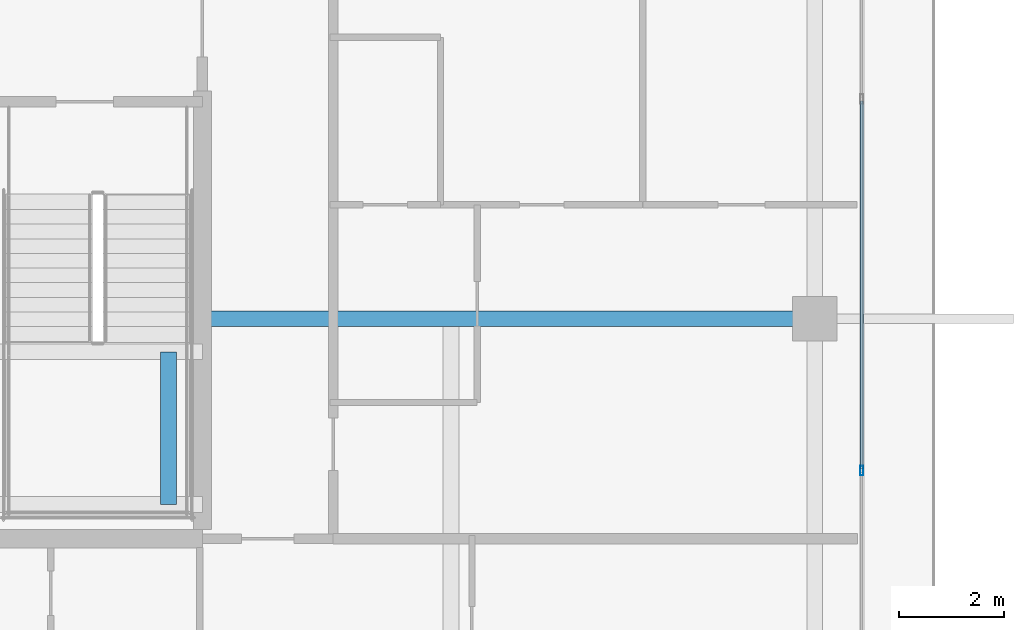
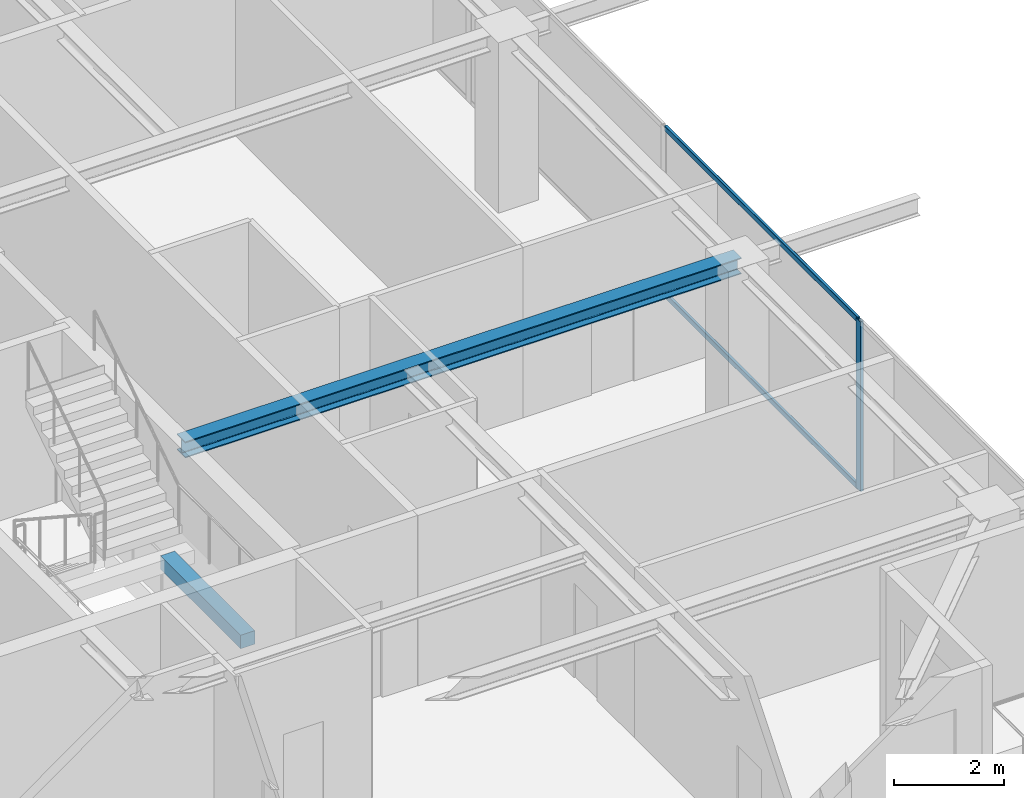
# One storey, part 13 of 36: 3 members, 2 beams, 1 element without a shape of its own.
"""IFC4 building model written with IfcOpenShell, lengths in metres."""

from ifc_helpers import new_model, si_unit, direction, frame, origin, origin_2d, place, context, subcontext, project, spatial, rectangle, hollow_rectangle, i_section, extrude, source, transform, mapped, material, layer, layer_set, material_profile, profile_set, type_object, element, aggregate, save


model = new_model("IFC4")

# Units and contexts
model_context = context("Model", 3, precision=1e-05, world=origin(), true_north=direction((0.0, 1.0)))
body_context = subcontext(model_context, "Body", "Model", "MODEL_VIEW")
ifc_project = project(units=[si_unit("LENGTHUNIT", "METRE"), si_unit("AREAUNIT", "SQUARE_METRE"), si_unit("VOLUMEUNIT", "CUBIC_METRE"), si_unit("PLANEANGLEUNIT", "RADIAN"), si_unit("MASSUNIT", "GRAM", prefix="KILO")], contexts=[model_context])

# Site, building, storey
site_placement = place(None, origin())
site = spatial("IfcSite", under=ifc_project, at=site_placement, CompositionType="ELEMENT")
building_placement = place(site_placement, origin())
building = spatial("IfcBuilding", under=site, at=building_placement, Name="Serunith Strait Residences", CompositionType="ELEMENT")
storey_placement = place(building_placement, frame((0.0, 0.0, 338.0)))
storey = spatial("IfcBuildingStorey", under=building, at=storey_placement, Name="L84", CompositionType="ELEMENT", Elevation=338.0)

# Beams
ifc_material_1 = material(Name="Steel S355J2", Category="steel")
ifc_material_profile_1 = material_profile(ifc_material_1, i_section(OverallWidth=0.300048828125, OverallDepth=0.360107421875, WebThickness=0.012451171875, FlangeThickness=0.0224609375, FilletRadius=0.027099609375, at=origin_2d()), Name="HEB 360")
ifc_profile_set_1 = profile_set([ifc_material_profile_1], Name="Steel S355J2")
beam_type_1 = type_object("IfcBeamType", Name="BM-HEB360", PredefinedType="BEAM", material=ifc_profile_set_1)
shared_shape_1 = source(origin(), body_context, "Body", "SweptSolid", [
    extrude(i_section(OverallWidth=0.300048828125, OverallDepth=0.360107421875, WebThickness=0.012451171875, FlangeThickness=0.0224609375, FilletRadius=0.027099609375, at=origin_2d()), origin(), (0.0, 0.0, 1.0), 11.7001953125),
])
beam_1_placement = place(storey_placement, frame((41.39990234375, 21.0, 3.60693359375), z_axis=(1.0, 0.0, 0.0), x_axis=(0.0, 1.0, 0.0)))
element("IfcBeam", 1, at=beam_1_placement, inside=storey, type_object=beam_type_1, Name="L84 Primary Floor Girder TC-E2", PredefinedType="BEAM", context=body_context, shape_type="MappedRepresentation", body=[
    mapped(shared_shape_1, transform((0.0, 0.0, 0.0), scale=1.0)),
])
ifc_material_2 = material(Name="Concrete C60/75", Category="concrete")
ifc_material_profile_2 = material_profile(ifc_material_2, rectangle(XDim=0.300048828125, YDim=0.300048828125, at=origin_2d()), Name="RC 300x300")
ifc_profile_set_2 = profile_set([ifc_material_profile_2], Name="Concrete C60/75")
beam_type_2 = type_object("IfcBeamType", Name="BM-LAND-300x300", PredefinedType="BEAM", material=ifc_profile_set_2)
shared_shape_2 = source(origin(), body_context, "Body", "SweptSolid", [
    extrude(rectangle(XDim=0.300048828125, YDim=0.300048828125, at=origin_2d()), origin(), (0.0, 0.0, 1.0), 2.920166015625),
])
beam_2_placement = place(storey_placement, frame((40.75, 17.449951171875, 1.675048828125), z_axis=(0.0, 1.0, 0.0), x_axis=(-1.0, 0.0, 0.0)))
element("IfcBeam", 2, at=beam_2_placement, inside=storey, type_object=beam_type_2, Name="L84 ST-2 Landing Transverse Tie Beam", PredefinedType="BEAM", context=body_context, shape_type="MappedRepresentation", body=[
    mapped(shared_shape_2, transform((0.0, 0.0, 0.0), scale=1.0)),
])

# Curtain wall, members
ifc_material_3 = material(Name="Brushed Stainless-Silver Aluminium", Category="aluminium")
ifc_layer = layer(ifc_material_3, 0.199951171875, Name="Brushed Stainless-Silver Aluminium")
ifc_layer_set = layer_set([ifc_layer], Name="Brushed Stainless-Silver Aluminium")
curtain_wall_type = type_object("IfcCurtainWallType", Name="CW-SYS5", PredefinedType="NOTDEFINED", material=ifc_layer_set)
curtain_wall_placement = place(storey_placement, origin())
curtain_wall = element("IfcCurtainWall", 3, at=curtain_wall_placement, inside=storey, type_object=curtain_wall_type, Name="L84 E Unitised Fritted Curtain Wall", PredefinedType="NOTDEFINED")
ifc_material_profile_3 = material_profile(ifc_material_3, hollow_rectangle(XDim=0.06494140625, YDim=0.179931640625, WallThickness=0.00341796875, InnerFilletRadius=0.00537109375, OuterFilletRadius=0.0087890625, at=origin_2d()), Name="ALU 180x65x3.5")
ifc_profile_set_3 = profile_set([ifc_material_profile_3], Name="Brushed Stainless-Silver Aluminium")
member_type_1 = type_object("IfcMemberType", Name="CW-SYS5-MULL", PredefinedType="MULLION", material=ifc_profile_set_3)
shared_shape_3 = source(origin(), body_context, "Body", "SweptSolid", [
    extrude(hollow_rectangle(XDim=0.06494140625, YDim=0.179931640625, WallThickness=0.00341796875, InnerFilletRadius=0.00537109375, OuterFilletRadius=0.0087890625, at=origin_2d()), origin(), (0.0, 0.0, 1.0), 3.77490234375),
])
member_1_placement = place(storey_placement, frame((54.0, 18.10009765625, 0.0), z_axis=(0.0, 0.0, 1.0), x_axis=(-1.0, 0.0, 0.0)))
member_1 = element("IfcMember", 4, at=member_1_placement, type_object=member_type_1, Name="CW-5 mullion 2", PredefinedType="MULLION", context=body_context, shape_type="MappedRepresentation", body=[
    mapped(shared_shape_3, transform((0.0, 0.0, 0.0), scale=1.0)),
])
ifc_material_profile_4 = material_profile(ifc_material_3, hollow_rectangle(XDim=0.06005859375, YDim=0.1201171875, WallThickness=0.00341796875, InnerFilletRadius=0.00537109375, OuterFilletRadius=0.0087890625, at=origin_2d()), Name="ALU 120x60x3.5")
ifc_profile_set_4 = profile_set([ifc_material_profile_4], Name="Brushed Stainless-Silver Aluminium")
member_type_2 = type_object("IfcMemberType", Name="CW-SYS5-TRAN", PredefinedType="USERDEFINED", material=ifc_profile_set_4)
shared_shape_4 = source(origin(), body_context, "Body", "SweptSolid", [
    extrude(hollow_rectangle(XDim=0.06005859375, YDim=0.1201171875, WallThickness=0.00341796875, InnerFilletRadius=0.00537109375, OuterFilletRadius=0.0087890625, at=origin_2d()), origin(), (0.0, 0.0, 1.0), 7.034912109375),
])
member_2_placement = place(storey_placement, frame((54.0, 18.132568359375, 0.030029296875), z_axis=(0.0, 1.0, 0.0), x_axis=(-1.0, 0.0, 0.0)))
member_2 = element("IfcMember", 5, at=member_2_placement, type_object=member_type_2, Name="CW-5 transom 2.1", ObjectType="TRANSOM", PredefinedType="USERDEFINED", context=body_context, shape_type="MappedRepresentation", body=[
    mapped(shared_shape_4, transform((0.0, 0.0, 0.0), scale=1.0)),
])
member_3_placement = place(storey_placement, frame((54.0, 18.132568359375, 3.7451171875), z_axis=(0.0, 1.0, 0.0), x_axis=(-1.0, 0.0, 0.0)))
member_3 = element("IfcMember", 6, at=member_3_placement, type_object=member_type_2, Name="CW-5 transom 2.2", ObjectType="TRANSOM", PredefinedType="USERDEFINED", context=body_context, shape_type="MappedRepresentation", body=[
    mapped(shared_shape_4, transform((0.0, 0.0, 0.0), scale=1.0)),
])
aggregate(curtain_wall, [member_1, member_2, member_3])

save(model, "model.ifc")
